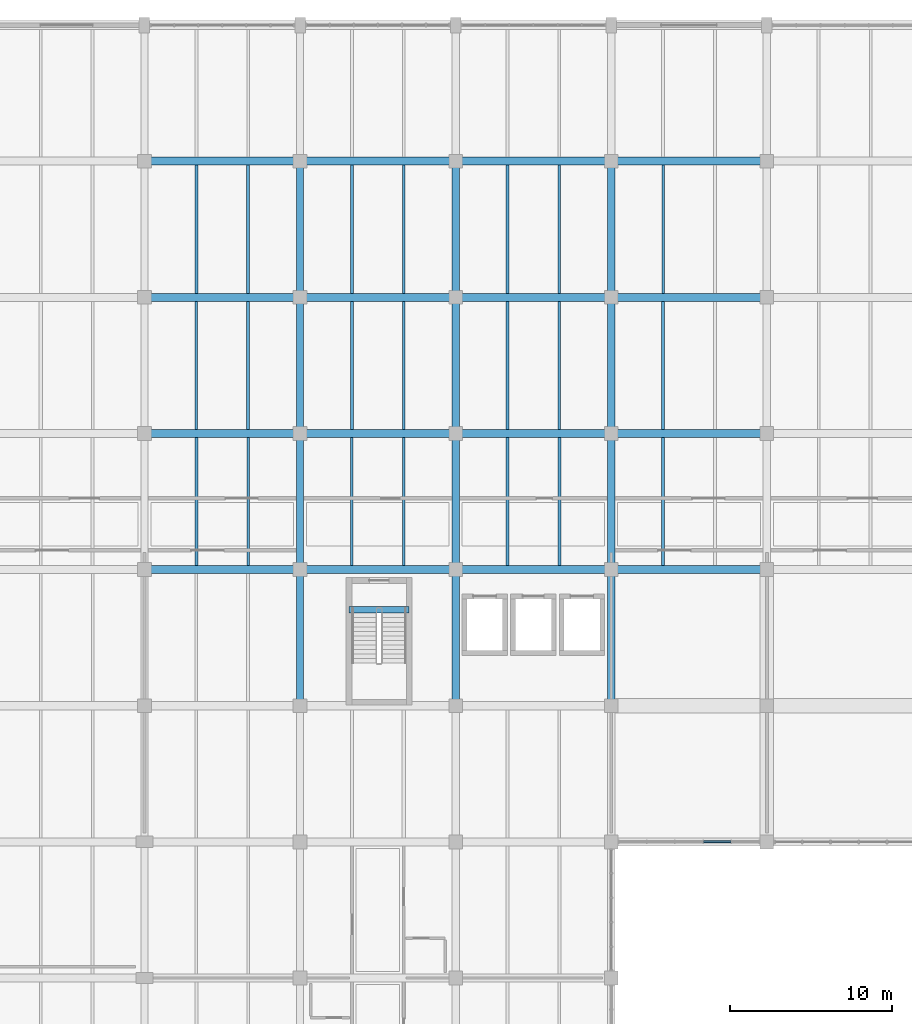
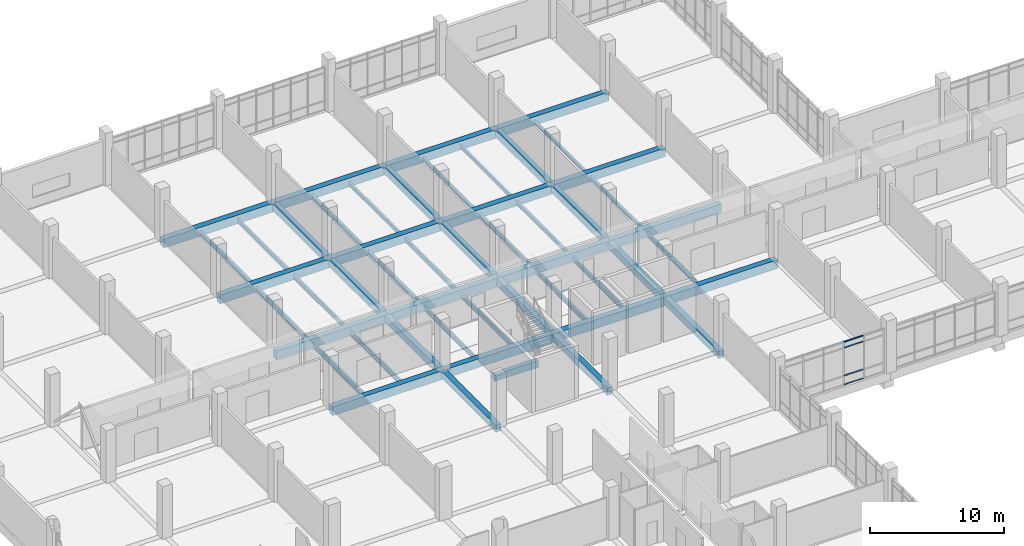
# One storey, part 32 of 152: 50 beams, 4 members, 1 element without a shape of its own.
"""IFC4 building model written with IfcOpenShell, lengths in metres."""

import ifcopenshell
import ifcopenshell.guid

model = None  # the IFC model being written
_history = None  # IfcOwnerHistory: only IFC2X3 demands one
_inside = {}  # id of a spatial element -> (the spatial element, [elements in it])
_under = {}  # id of a project, library or spatial element -> (it, [spatial elements below it])
_declared = {}  # id of a project -> (the project, [libraries it declares])
_typed = {}  # id of a type object -> (the type object, [elements of that type])
_made_of = {}  # id of a material, layer set ... -> (it, [elements and type objects made of it])


def new_model(schema):
    """Start an empty IFC model of exactly this schema.

    Asked for "IFC4X3", IfcOpenShell would pick the latest addendum, in which some entities
    have other attributes; the version numbers below select the first issue.
    IFC2X3 requires an IfcOwnerHistory on every rooted entity: one is made here for all.
    """
    global model, _history
    if schema == "IFC4X3":
        model = ifcopenshell.file(schema_version=(4, 3, 0, 0))
    else:
        model = ifcopenshell.file(schema=schema)
    _inside.clear()
    _under.clear()
    _declared.clear()
    _typed.clear()
    _made_of.clear()
    _history = None
    if model.schema == "IFC2X3":
        org = make("IfcOrganization", Name="unknown")
        user = make(
            "IfcPersonAndOrganization",
            ThePerson=make("IfcPerson", FamilyName="unknown"),
            TheOrganization=org,
        )
        app = make(
            "IfcApplication",
            ApplicationDeveloper=org,
            Version="unknown",
            ApplicationFullName="unknown",
            ApplicationIdentifier="unknown",
        )
        _history = make(
            "IfcOwnerHistory",
            OwningUser=user,
            OwningApplication=app,
            ChangeAction="ADDED",
            CreationDate=0,
        )
    return model


def make(cls, **values):
    """One entity of the class cls with the attributes given. An attribute that is None is left unset."""
    return model.create_entity(
        cls, **{name: value for name, value in values.items() if value is not None}
    )


def rooted(cls, **values):
    """An entity with a GlobalId (a new one), such as an element, a storey or a relation."""
    return make(cls, GlobalId=ifcopenshell.guid.new(), OwnerHistory=_history, **values)


def si_unit(unit_type, name, prefix=None):
    """IfcSIUnit, for example si_unit("LENGTHUNIT", "METRE", prefix="MILLI")."""
    return make("IfcSIUnit", UnitType=unit_type, Prefix=prefix, Name=name)


def assignment(units):
    """IfcUnitAssignment: the units of a project."""
    return None if units is None else make("IfcUnitAssignment", Units=units)


def point(xyz):
    """IfcCartesianPoint."""
    return None if xyz is None else make("IfcCartesianPoint", Coordinates=xyz)


def direction(xyz):
    """IfcDirection."""
    return None if xyz is None else make("IfcDirection", DirectionRatios=xyz)


def frame(location, z_axis=None, x_axis=None):
    """IfcAxis2Placement3D, a coordinate frame: its origin and axes. An axis left out is left unset."""
    return make(
        "IfcAxis2Placement3D",
        Location=point(location),
        Axis=direction(z_axis),
        RefDirection=direction(x_axis),
    )


def frame_2d(location, x_axis=None):
    """IfcAxis2Placement2D, a coordinate frame in the plane: its origin and x axis."""
    return make(
        "IfcAxis2Placement2D", Location=point(location), RefDirection=direction(x_axis)
    )


def origin():
    """The frame at (0, 0, 0) with its axes left unset."""
    return frame((0.0, 0.0, 0.0))


def origin_2d():
    """The frame at (0, 0) in the plane with its x axis left unset."""
    return frame_2d((0.0, 0.0))


def place(relative_to, where):
    """IfcLocalPlacement: puts the frame where relative to a parent placement (None: the world)."""
    return make(
        "IfcLocalPlacement", PlacementRelTo=relative_to, RelativePlacement=where
    )


def context(
    kind, dimensions, precision=None, world=None, true_north=None, identifier=None
):
    """IfcGeometricRepresentationContext, for example the 3D "Model" context."""
    return make(
        "IfcGeometricRepresentationContext",
        ContextIdentifier=identifier,
        ContextType=kind,
        CoordinateSpaceDimension=dimensions,
        Precision=precision,
        WorldCoordinateSystem=world,
        TrueNorth=true_north,
    )


def subcontext(parent, identifier, kind, view, scale=None):
    """IfcGeometricRepresentationSubContext, for example "Body" below "Model"."""
    return make(
        "IfcGeometricRepresentationSubContext",
        ContextIdentifier=identifier,
        ContextType=kind,
        ParentContext=parent,
        TargetScale=scale,
        TargetView=view,
    )


def project(units=None, contexts=None):
    """IfcProject with its units and contexts."""
    return rooted(
        "IfcProject",
        Name="project",
        RepresentationContexts=contexts,
        UnitsInContext=assignment(units),
    )


def spatial(cls, under=None, at=None, **own):
    """A site, building, storey or space (cls), placed at a placement, below another one or the project."""
    s = rooted(cls, ObjectPlacement=at, **own)
    if under is not None:
        _under.setdefault(under.id(), (under, []))[1].append(s)
    return s


def profile(cls, at=None, kind="AREA", **sizes):
    """A parametric profile (cls). Its sizes go by their IFC names, for example OverallWidth=200.0."""
    return make(cls, ProfileType=kind, Position=at, **sizes)


def rectangle(**sizes):
    """IfcRectangleProfileDef."""
    return profile("IfcRectangleProfileDef", **sizes)


def i_section(**sizes):
    """IfcIShapeProfileDef."""
    return profile("IfcIShapeProfileDef", **sizes)


def extrude(swept, where, along, depth):
    """IfcExtrudedAreaSolid: the profile swept, set in the frame where, extruded along a direction by depth."""
    return make(
        "IfcExtrudedAreaSolid",
        SweptArea=swept,
        Position=where,
        ExtrudedDirection=direction(along),
        Depth=depth,
    )


def shape(context_of_items, identifier, shape_type, items):
    """IfcShapeRepresentation: the items that make up one representation, for example the "Body"."""
    return make(
        "IfcShapeRepresentation",
        ContextOfItems=context_of_items,
        RepresentationIdentifier=identifier,
        RepresentationType=shape_type,
        Items=items,
    )


def material(Name=None, Category=None):
    """IfcMaterial."""
    return make("IfcMaterial", Name=Name, Category=Category)


def material_profile(
    of_material, cross_section, Name=None, Category=None, Priority=None
):
    """IfcMaterialProfile: a cross section and its material."""
    return make(
        "IfcMaterialProfile",
        Name=Name,
        Material=of_material,
        Profile=cross_section,
        Priority=Priority,
        Category=Category,
    )


def profile_set(profiles, Name=None, composite=None):
    """IfcMaterialProfileSet."""
    return make(
        "IfcMaterialProfileSet",
        Name=Name,
        MaterialProfiles=profiles,
        CompositeProfile=composite,
    )


def made_of(thing, what):
    """Note that an element or type object is made of a material, layer set ...; save() writes the relation."""
    if what is not None:
        _made_of.setdefault(what.id(), (what, []))[1].append(thing)
    return thing


def type_object(cls, material=None, **own):
    """A type object (cls), such as IfcWallType, which elements share."""
    return made_of(rooted(cls, **own), material)


def element(
    cls,
    number,
    at=None,
    inside=None,
    cuts=None,
    type_object=None,
    material=None,
    context=None,
    identifier="Body",
    shape_type=None,
    held_by="IfcProductDefinitionShape",
    body=None,
    shapes=None,
    **own,
):
    """One element of the class cls, such as IfcWall. Its Tag is "e" and its number.

    at: its placement. inside: the storey or other place that contains it. cuts: it is an
    opening in that element (IfcRelVoidsElement). A single representation is given by context,
    identifier, shape_type and body (its items); several are given by shapes. held_by: the class
    of the entity that holds the representations. save() writes the other relations.
    """
    e = rooted(cls, Tag="e%d" % number, ObjectPlacement=at, **own)
    if body is not None:
        shapes = [shape(context, identifier, shape_type, body)]
    if shapes is not None:
        e.Representation = make(held_by, Representations=shapes)
    if inside is not None:
        _inside.setdefault(inside.id(), (inside, []))[1].append(e)
    if cuts is not None:
        rooted(
            "IfcRelVoidsElement", RelatingBuildingElement=cuts, RelatedOpeningElement=e
        )
    if type_object is not None:
        _typed.setdefault(type_object.id(), (type_object, []))[1].append(e)
    return made_of(e, material)


def aggregate(whole, parts):
    """IfcRelAggregates: a whole, such as a stair, and the parts it consists of."""
    return rooted("IfcRelAggregates", RelatingObject=whole, RelatedObjects=parts)


def save(model, path):
    """Write the relations noted so far, then the file.

    IfcRelAggregates (storeys below a building ...), IfcRelContainedInSpatialStructure (elements
    in a storey), IfcRelDefinesByType, IfcRelAssociatesMaterial and IfcRelDeclares: one each for
    every whole, place, type object, material and project.
    """
    for whole, parts in _under.values():
        aggregate(whole, parts)
    for where, things in _inside.values():
        rooted(
            "IfcRelContainedInSpatialStructure",
            RelatedElements=things,
            RelatingStructure=where,
        )
    for kind, things in _typed.values():
        rooted("IfcRelDefinesByType", RelatedObjects=things, RelatingType=kind)
    for what, things in _made_of.values():
        rooted("IfcRelAssociatesMaterial", RelatedObjects=things, RelatingMaterial=what)
    for by, libraries in _declared.values():
        rooted("IfcRelDeclares", RelatingContext=by, RelatedDefinitions=libraries)
    model.write(path)


model = new_model("IFC4")

# Units and contexts
model_context = context("Model", 3, precision=1e-05, world=origin(), true_north=direction((0.0, 1.0)))
body_context = subcontext(model_context, "Body", "Model", "MODEL_VIEW")
ifc_project = project(units=[si_unit("LENGTHUNIT", "METRE"), si_unit("AREAUNIT", "SQUARE_METRE"), si_unit("VOLUMEUNIT", "CUBIC_METRE"), si_unit("PLANEANGLEUNIT", "RADIAN"), si_unit("MASSUNIT", "GRAM", prefix="KILO")], contexts=[model_context])

# Site, building, storey
site_placement = place(None, origin())
site = spatial("IfcSite", under=ifc_project, at=site_placement, CompositionType="ELEMENT")
building_placement = place(site_placement, origin())
building = spatial("IfcBuilding", under=site, at=building_placement, Name="Oolite Switchyard Hospital", CompositionType="ELEMENT")
storey_placement = place(building_placement, frame((0.0, 0.0, 5.10009765625)))
storey = spatial("IfcBuildingStorey", under=building, at=storey_placement, Name="L01", CompositionType="ELEMENT", Elevation=5.10009765625)

# Beams
ifc_material_1 = material(Name="Concrete C40/50", Category="concrete")
ifc_material_profile_1 = material_profile(ifc_material_1, rectangle(XDim=0.39990234375, YDim=0.60009765625, at=origin_2d()), Name="RCB400X600")
ifc_profile_set_1 = profile_set([ifc_material_profile_1], Name="Concrete C40/50")
beam_type_1 = type_object("IfcBeamType", Name="BM-RC400X600", PredefinedType="BEAM", material=ifc_profile_set_1)
beam_1_placement = place(storey_placement, frame((41.425048828125, 98.31005859375, -0.300048828125), z_axis=(1.0, 0.0, 0.0), x_axis=(0.0, 1.0, 0.0)))
element("IfcBeam", 1, at=beam_1_placement, inside=storey, type_object=beam_type_1, Name="L01 ST-07 Stair Throat Trimmer Beam", PredefinedType="BEAM", context=body_context, shape_type="SweptSolid", body=[
    extrude(rectangle(XDim=0.39990234375, YDim=0.60009765625, at=origin_2d()), origin(), (0.0, 0.0, 1.0), 3.7099609375),
])
ifc_material_profile_2 = material_profile(ifc_material_1, rectangle(XDim=0.449951171875, YDim=0.64990234375, at=origin_2d()), Name="RCB450X650")
ifc_profile_set_2 = profile_set([ifc_material_profile_2], Name="Concrete C40/50")
beam_type_2 = type_object("IfcBeamType", Name="BM-RC450X650", PredefinedType="BEAM", material=ifc_profile_set_2)
beam_2_placement = place(storey_placement, frame((38.39990234375, 92.39990234375, -0.3251953125), z_axis=(0.0, 1.0, 0.0), x_axis=(-1.0, 0.0, 0.0)))
element("IfcBeam", 2, at=beam_2_placement, inside=storey, type_object=beam_type_2, Name="L01 Y-Girder 361", PredefinedType="BEAM", context=body_context, shape_type="SweptSolid", body=[
    extrude(rectangle(XDim=0.449951171875, YDim=0.64990234375, at=origin_2d()), origin(), (0.0, 0.0, 1.0), 8.400146484375),
])
beam_3_placement = place(storey_placement, frame((38.39990234375, 100.800048828125, -0.3251953125), z_axis=(0.0, 1.0, 0.0), x_axis=(-1.0, 0.0, 0.0)))
element("IfcBeam", 3, at=beam_3_placement, inside=storey, type_object=beam_type_2, Name="L01 Y-Girder 362", PredefinedType="BEAM", context=body_context, shape_type="SweptSolid", body=[
    extrude(rectangle(XDim=0.449951171875, YDim=0.64990234375, at=origin_2d()), origin(), (0.0, 0.0, 1.0), 8.39990234375),
])
beam_4_placement = place(storey_placement, frame((38.39990234375, 109.199951171875, -0.3251953125), z_axis=(0.0, 1.0, 0.0), x_axis=(-1.0, 0.0, 0.0)))
element("IfcBeam", 4, at=beam_4_placement, inside=storey, type_object=beam_type_2, Name="L01 Y-Girder 363", PredefinedType="BEAM", context=body_context, shape_type="SweptSolid", body=[
    extrude(rectangle(XDim=0.449951171875, YDim=0.64990234375, at=origin_2d()), origin(), (0.0, 0.0, 1.0), 8.400146484375),
])
beam_5_placement = place(storey_placement, frame((38.39990234375, 117.60009765625, -0.3251953125), z_axis=(0.0, 1.0, 0.0), x_axis=(-1.0, 0.0, 0.0)))
element("IfcBeam", 5, at=beam_5_placement, inside=storey, type_object=beam_type_2, Name="L01 Y-Girder 364", PredefinedType="BEAM", context=body_context, shape_type="SweptSolid", body=[
    extrude(rectangle(XDim=0.449951171875, YDim=0.64990234375, at=origin_2d()), origin(), (0.0, 0.0, 1.0), 8.39990234375),
])
beam_6_placement = place(storey_placement, frame((48.0, 92.39990234375, -0.3251953125), z_axis=(0.0, 1.0, 0.0), x_axis=(-1.0, 0.0, 0.0)))
element("IfcBeam", 6, at=beam_6_placement, inside=storey, type_object=beam_type_2, Name="L01 Y-Girder 377", PredefinedType="BEAM", context=body_context, shape_type="SweptSolid", body=[
    extrude(rectangle(XDim=0.449951171875, YDim=0.64990234375, at=origin_2d()), origin(), (0.0, 0.0, 1.0), 8.400146484375),
])
beam_7_placement = place(storey_placement, frame((48.0, 100.800048828125, -0.3251953125), z_axis=(0.0, 1.0, 0.0), x_axis=(-1.0, 0.0, 0.0)))
element("IfcBeam", 7, at=beam_7_placement, inside=storey, type_object=beam_type_2, Name="L01 Y-Girder 378", PredefinedType="BEAM", context=body_context, shape_type="SweptSolid", body=[
    extrude(rectangle(XDim=0.449951171875, YDim=0.64990234375, at=origin_2d()), origin(), (0.0, 0.0, 1.0), 8.39990234375),
])
beam_8_placement = place(storey_placement, frame((48.0, 109.199951171875, -0.3251953125), z_axis=(0.0, 1.0, 0.0), x_axis=(-1.0, 0.0, 0.0)))
element("IfcBeam", 8, at=beam_8_placement, inside=storey, type_object=beam_type_2, Name="L01 Y-Girder 379", PredefinedType="BEAM", context=body_context, shape_type="SweptSolid", body=[
    extrude(rectangle(XDim=0.449951171875, YDim=0.64990234375, at=origin_2d()), origin(), (0.0, 0.0, 1.0), 8.400146484375),
])
beam_9_placement = place(storey_placement, frame((48.0, 117.60009765625, -0.3251953125), z_axis=(0.0, 1.0, 0.0), x_axis=(-1.0, 0.0, 0.0)))
element("IfcBeam", 9, at=beam_9_placement, inside=storey, type_object=beam_type_2, Name="L01 Y-Girder 380", PredefinedType="BEAM", context=body_context, shape_type="SweptSolid", body=[
    extrude(rectangle(XDim=0.449951171875, YDim=0.64990234375, at=origin_2d()), origin(), (0.0, 0.0, 1.0), 8.39990234375),
])
beam_10_placement = place(storey_placement, frame((57.60009765625, 92.39990234375, -0.3251953125), z_axis=(0.0, 1.0, 0.0), x_axis=(-1.0, 0.0, 0.0)))
element("IfcBeam", 10, at=beam_10_placement, inside=storey, type_object=beam_type_2, Name="L01 Y-Girder 392", PredefinedType="BEAM", context=body_context, shape_type="SweptSolid", body=[
    extrude(rectangle(XDim=0.449951171875, YDim=0.64990234375, at=origin_2d()), origin(), (0.0, 0.0, 1.0), 8.400146484375),
])
beam_11_placement = place(storey_placement, frame((57.60009765625, 100.800048828125, -0.3251953125), z_axis=(0.0, 1.0, 0.0), x_axis=(-1.0, 0.0, 0.0)))
element("IfcBeam", 11, at=beam_11_placement, inside=storey, type_object=beam_type_2, Name="L01 Y-Girder 393", PredefinedType="BEAM", context=body_context, shape_type="SweptSolid", body=[
    extrude(rectangle(XDim=0.449951171875, YDim=0.64990234375, at=origin_2d()), origin(), (0.0, 0.0, 1.0), 8.39990234375),
])
beam_12_placement = place(storey_placement, frame((57.60009765625, 109.199951171875, -0.3251953125), z_axis=(0.0, 1.0, 0.0), x_axis=(-1.0, 0.0, 0.0)))
element("IfcBeam", 12, at=beam_12_placement, inside=storey, type_object=beam_type_2, Name="L01 Y-Girder 394", PredefinedType="BEAM", context=body_context, shape_type="SweptSolid", body=[
    extrude(rectangle(XDim=0.449951171875, YDim=0.64990234375, at=origin_2d()), origin(), (0.0, 0.0, 1.0), 8.400146484375),
])
beam_13_placement = place(storey_placement, frame((57.60009765625, 117.60009765625, -0.3251953125), z_axis=(0.0, 1.0, 0.0), x_axis=(-1.0, 0.0, 0.0)))
element("IfcBeam", 13, at=beam_13_placement, inside=storey, type_object=beam_type_2, Name="L01 Y-Girder 395", PredefinedType="BEAM", context=body_context, shape_type="SweptSolid", body=[
    extrude(rectangle(XDim=0.449951171875, YDim=0.64990234375, at=origin_2d()), origin(), (0.0, 0.0, 1.0), 8.39990234375),
])
ifc_material_profile_3 = material_profile(ifc_material_1, rectangle(XDim=0.5, YDim=0.800048828125, at=origin_2d()), Name="RCB500X800")
ifc_profile_set_3 = profile_set([ifc_material_profile_3], Name="Concrete C40/50")
beam_type_3 = type_object("IfcBeamType", Name="BM-RC500X800", PredefinedType="BEAM", material=ifc_profile_set_3)
beam_14_placement = place(storey_placement, frame((28.800048828125, 100.800048828125, -0.400146484375), z_axis=(1.0, 0.0, 0.0), x_axis=(0.0, 1.0, 0.0)))
element("IfcBeam", 14, at=beam_14_placement, inside=storey, type_object=beam_type_3, Name="L01 X-Girder 200", PredefinedType="BEAM", context=body_context, shape_type="SweptSolid", body=[
    extrude(rectangle(XDim=0.5, YDim=0.800048828125, at=origin_2d()), origin(), (0.0, 0.0, 1.0), 9.599853515625),
])
for number, where, z_axis, x_axis, name in (
    (15, (38.39990234375, 100.800048828125, -0.400146484375), (1.0, 0.0, 0.0), (0.0, 1.0, 0.0), "L01 X-Girder 201"),
    (16, (48.0, 100.800048828125, -0.400146484375), (1.0, 0.0, 0.0), (0.0, 1.0, 0.0), "L01 X-Girder 202"),
):
    element("IfcBeam", number, at=place(storey_placement, frame(where, z_axis=z_axis, x_axis=x_axis)), inside=storey, type_object=beam_type_3, Name=name, PredefinedType="BEAM", context=body_context, shape_type="SweptSolid", body=[
        extrude(rectangle(XDim=0.5, YDim=0.800048828125, at=origin_2d()), origin(), (0.0, 0.0, 1.0), 9.60009765625),
    ])
for number, where, z_axis, x_axis, name in (
    (17, (57.60009765625, 100.800048828125, -0.400146484375), (1.0, 0.0, 0.0), (0.0, 1.0, 0.0), "L01 X-Girder 203"),
    (18, (28.800048828125, 109.199951171875, -0.400146484375), (1.0, 0.0, 0.0), (0.0, 1.0, 0.0), "L01 X-Girder 222"),
):
    element("IfcBeam", number, at=place(storey_placement, frame(where, z_axis=z_axis, x_axis=x_axis)), inside=storey, type_object=beam_type_3, Name=name, PredefinedType="BEAM", context=body_context, shape_type="SweptSolid", body=[
        extrude(rectangle(XDim=0.5, YDim=0.800048828125, at=origin_2d()), origin(), (0.0, 0.0, 1.0), 9.599853515625),
    ])
for number, where, z_axis, x_axis, name in (
    (19, (38.39990234375, 109.199951171875, -0.400146484375), (1.0, 0.0, 0.0), (0.0, 1.0, 0.0), "L01 X-Girder 223"),
    (20, (48.0, 109.199951171875, -0.400146484375), (1.0, 0.0, 0.0), (0.0, 1.0, 0.0), "L01 X-Girder 224"),
):
    element("IfcBeam", number, at=place(storey_placement, frame(where, z_axis=z_axis, x_axis=x_axis)), inside=storey, type_object=beam_type_3, Name=name, PredefinedType="BEAM", context=body_context, shape_type="SweptSolid", body=[
        extrude(rectangle(XDim=0.5, YDim=0.800048828125, at=origin_2d()), origin(), (0.0, 0.0, 1.0), 9.60009765625),
    ])
for number, where, z_axis, x_axis, name in (
    (21, (57.60009765625, 109.199951171875, -0.400146484375), (1.0, 0.0, 0.0), (0.0, 1.0, 0.0), "L01 X-Girder 225"),
    (22, (28.800048828125, 117.60009765625, -0.400146484375), (1.0, 0.0, 0.0), (0.0, 1.0, 0.0), "L01 X-Girder 242"),
):
    element("IfcBeam", number, at=place(storey_placement, frame(where, z_axis=z_axis, x_axis=x_axis)), inside=storey, type_object=beam_type_3, Name=name, PredefinedType="BEAM", context=body_context, shape_type="SweptSolid", body=[
        extrude(rectangle(XDim=0.5, YDim=0.800048828125, at=origin_2d()), origin(), (0.0, 0.0, 1.0), 9.599853515625),
    ])
for number, where, z_axis, x_axis, name in (
    (23, (38.39990234375, 117.60009765625, -0.400146484375), (1.0, 0.0, 0.0), (0.0, 1.0, 0.0), "L01 X-Girder 243"),
    (24, (48.0, 117.60009765625, -0.400146484375), (1.0, 0.0, 0.0), (0.0, 1.0, 0.0), "L01 X-Girder 244"),
):
    element("IfcBeam", number, at=place(storey_placement, frame(where, z_axis=z_axis, x_axis=x_axis)), inside=storey, type_object=beam_type_3, Name=name, PredefinedType="BEAM", context=body_context, shape_type="SweptSolid", body=[
        extrude(rectangle(XDim=0.5, YDim=0.800048828125, at=origin_2d()), origin(), (0.0, 0.0, 1.0), 9.60009765625),
    ])
for number, where, z_axis, x_axis, name in (
    (25, (57.60009765625, 117.60009765625, -0.400146484375), (1.0, 0.0, 0.0), (0.0, 1.0, 0.0), "L01 X-Girder 245"),
    (26, (28.800048828125, 126.0, -0.400146484375), (1.0, 0.0, 0.0), (0.0, 1.0, 0.0), "L01 X-Girder 258"),
):
    element("IfcBeam", number, at=place(storey_placement, frame(where, z_axis=z_axis, x_axis=x_axis)), inside=storey, type_object=beam_type_3, Name=name, PredefinedType="BEAM", context=body_context, shape_type="SweptSolid", body=[
        extrude(rectangle(XDim=0.5, YDim=0.800048828125, at=origin_2d()), origin(), (0.0, 0.0, 1.0), 9.599853515625),
    ])
for number, where, z_axis, x_axis, name in (
    (27, (38.39990234375, 126.0, -0.400146484375), (1.0, 0.0, 0.0), (0.0, 1.0, 0.0), "L01 X-Girder 259"),
    (28, (48.0, 126.0, -0.400146484375), (1.0, 0.0, 0.0), (0.0, 1.0, 0.0), "L01 X-Girder 260"),
):
    element("IfcBeam", number, at=place(storey_placement, frame(where, z_axis=z_axis, x_axis=x_axis)), inside=storey, type_object=beam_type_3, Name=name, PredefinedType="BEAM", context=body_context, shape_type="SweptSolid", body=[
        extrude(rectangle(XDim=0.5, YDim=0.800048828125, at=origin_2d()), origin(), (0.0, 0.0, 1.0), 9.60009765625),
    ])
beam_15_placement = place(storey_placement, frame((57.60009765625, 126.0, -0.400146484375), z_axis=(1.0, 0.0, 0.0), x_axis=(0.0, 1.0, 0.0)))
element("IfcBeam", 29, at=beam_15_placement, inside=storey, type_object=beam_type_3, Name="L01 X-Girder 261", PredefinedType="BEAM", context=body_context, shape_type="SweptSolid", body=[
    extrude(rectangle(XDim=0.5, YDim=0.800048828125, at=origin_2d()), origin(), (0.0, 0.0, 1.0), 9.599853515625),
])
ifc_material_2 = material(Name="Steel ASTM A992 Grade 50", Category="steel")
ifc_material_profile_4 = material_profile(ifc_material_2, i_section(OverallWidth=0.1650390625, OverallDepth=0.31005859375, WebThickness=0.006103515625, FlangeThickness=0.010009765625, at=origin_2d()), Name="W12X26")
ifc_profile_set_4 = profile_set([ifc_material_profile_4], Name="Steel ASTM A992 Grade 50")
beam_type_4 = type_object("IfcBeamType", Name="BM-W12X26", PredefinedType="JOIST", material=ifc_profile_set_4)
for number, where, z_axis, x_axis, name in (
    (30, (54.39990234375, 117.85009765625, -0.455078125), (0.0, 1.0, 0.0), (-1.0, 0.0, 0.0), "L01 Secondary Steel Joist 735"),
    (31, (60.800048828125, 117.85009765625, -0.455078125), (0.0, 1.0, 0.0), (-1.0, 0.0, 0.0), "L01 Secondary Steel Joist 750"),
):
    element("IfcBeam", number, at=place(storey_placement, frame(where, z_axis=z_axis, x_axis=x_axis)), inside=storey, type_object=beam_type_4, Name=name, PredefinedType="JOIST", context=body_context, shape_type="SweptSolid", body=[
        extrude(i_section(OverallWidth=0.1650390625, OverallDepth=0.31005859375, WebThickness=0.006103515625, FlangeThickness=0.010009765625, at=origin_2d()), origin(), (0.0, 0.0, 1.0), 7.89990234375),
    ])
ifc_material_profile_5 = material_profile(ifc_material_2, i_section(OverallWidth=0.1708984375, OverallDepth=0.35107421875, WebThickness=0.007080078125, FlangeThickness=0.010009765625, at=origin_2d()), Name="W14X30")
ifc_profile_set_5 = profile_set([ifc_material_profile_5], Name="Steel ASTM A992 Grade 50")
beam_type_5 = type_object("IfcBeamType", Name="BM-W14X30", PredefinedType="JOIST", material=ifc_profile_set_5)
beam_16_placement = place(storey_placement, frame((44.800048828125, 117.85009765625, -0.47607421875), z_axis=(0.0, 1.0, 0.0), x_axis=(-1.0, 0.0, 0.0)))
element("IfcBeam", 32, at=beam_16_placement, inside=storey, type_object=beam_type_5, Name="L01 Secondary Steel Joist 707", PredefinedType="JOIST", context=body_context, shape_type="SweptSolid", body=[
    extrude(i_section(OverallWidth=0.1708984375, OverallDepth=0.35107421875, WebThickness=0.007080078125, FlangeThickness=0.010009765625, at=origin_2d()), origin(), (0.0, 0.0, 1.0), 7.89990234375),
])
beam_17_placement = place(storey_placement, frame((54.39990234375, 109.449951171875, -0.47607421875), z_axis=(0.0, 1.0, 0.0), x_axis=(-1.0, 0.0, 0.0)))
element("IfcBeam", 33, at=beam_17_placement, inside=storey, type_object=beam_type_5, Name="L01 Secondary Steel Joist 733", PredefinedType="JOIST", context=body_context, shape_type="SweptSolid", body=[
    extrude(i_section(OverallWidth=0.1708984375, OverallDepth=0.35107421875, WebThickness=0.007080078125, FlangeThickness=0.010009765625, at=origin_2d()), origin(), (0.0, 0.0, 1.0), 7.900146484375),
])
beam_18_placement = place(storey_placement, frame((51.199951171875, 117.85009765625, -0.47607421875), z_axis=(0.0, 1.0, 0.0), x_axis=(-1.0, 0.0, 0.0)))
element("IfcBeam", 34, at=beam_18_placement, inside=storey, type_object=beam_type_5, Name="L01 Secondary Steel Joist 734", PredefinedType="JOIST", context=body_context, shape_type="SweptSolid", body=[
    extrude(i_section(OverallWidth=0.1708984375, OverallDepth=0.35107421875, WebThickness=0.007080078125, FlangeThickness=0.010009765625, at=origin_2d()), origin(), (0.0, 0.0, 1.0), 7.89990234375),
])
beam_19_placement = place(storey_placement, frame((60.800048828125, 109.449951171875, -0.47607421875), z_axis=(0.0, 1.0, 0.0), x_axis=(-1.0, 0.0, 0.0)))
element("IfcBeam", 35, at=beam_19_placement, inside=storey, type_object=beam_type_5, Name="L01 Secondary Steel Joist 748", PredefinedType="JOIST", context=body_context, shape_type="SweptSolid", body=[
    extrude(i_section(OverallWidth=0.1708984375, OverallDepth=0.35107421875, WebThickness=0.007080078125, FlangeThickness=0.010009765625, at=origin_2d()), origin(), (0.0, 0.0, 1.0), 7.900146484375),
])
ifc_material_profile_6 = material_profile(ifc_material_2, i_section(OverallWidth=0.177978515625, OverallDepth=0.403076171875, WebThickness=0.008056640625, FlangeThickness=0.010986328125, at=origin_2d()), Name="W16X36")
ifc_profile_set_6 = profile_set([ifc_material_profile_6], Name="Steel ASTM A992 Grade 50")
beam_type_6 = type_object("IfcBeamType", Name="BM-W16X36", PredefinedType="JOIST", material=ifc_profile_set_6)
beam_20_placement = place(storey_placement, frame((35.199951171875, 117.85009765625, -0.502197265625), z_axis=(0.0, 1.0, 0.0), x_axis=(-1.0, 0.0, 0.0)))
element("IfcBeam", 36, at=beam_20_placement, inside=storey, type_object=beam_type_6, Name="L01 Secondary Steel Joist 679", PredefinedType="JOIST", context=body_context, shape_type="SweptSolid", body=[
    extrude(i_section(OverallWidth=0.177978515625, OverallDepth=0.403076171875, WebThickness=0.008056640625, FlangeThickness=0.010986328125, at=origin_2d()), origin(), (0.0, 0.0, 1.0), 7.89990234375),
])
beam_21_placement = place(storey_placement, frame((44.800048828125, 109.449951171875, -0.502197265625), z_axis=(0.0, 1.0, 0.0), x_axis=(-1.0, 0.0, 0.0)))
element("IfcBeam", 37, at=beam_21_placement, inside=storey, type_object=beam_type_6, Name="L01 Secondary Steel Joist 705", PredefinedType="JOIST", context=body_context, shape_type="SweptSolid", body=[
    extrude(i_section(OverallWidth=0.177978515625, OverallDepth=0.403076171875, WebThickness=0.008056640625, FlangeThickness=0.010986328125, at=origin_2d()), origin(), (0.0, 0.0, 1.0), 7.900146484375),
])
for number, where, z_axis, x_axis, name in (
    (38, (41.60009765625, 117.85009765625, -0.502197265625), (0.0, 1.0, 0.0), (-1.0, 0.0, 0.0), "L01 Secondary Steel Joist 706"),
    (39, (54.39990234375, 101.050048828125, -0.502197265625), (0.0, 1.0, 0.0), (-1.0, 0.0, 0.0), "L01 Secondary Steel Joist 731"),
):
    element("IfcBeam", number, at=place(storey_placement, frame(where, z_axis=z_axis, x_axis=x_axis)), inside=storey, type_object=beam_type_6, Name=name, PredefinedType="JOIST", context=body_context, shape_type="SweptSolid", body=[
        extrude(i_section(OverallWidth=0.177978515625, OverallDepth=0.403076171875, WebThickness=0.008056640625, FlangeThickness=0.010986328125, at=origin_2d()), origin(), (0.0, 0.0, 1.0), 7.89990234375),
    ])
beam_22_placement = place(storey_placement, frame((51.199951171875, 109.449951171875, -0.502197265625), z_axis=(0.0, 1.0, 0.0), x_axis=(-1.0, 0.0, 0.0)))
element("IfcBeam", 40, at=beam_22_placement, inside=storey, type_object=beam_type_6, Name="L01 Secondary Steel Joist 732", PredefinedType="JOIST", context=body_context, shape_type="SweptSolid", body=[
    extrude(i_section(OverallWidth=0.177978515625, OverallDepth=0.403076171875, WebThickness=0.008056640625, FlangeThickness=0.010986328125, at=origin_2d()), origin(), (0.0, 0.0, 1.0), 7.900146484375),
])
beam_23_placement = place(storey_placement, frame((60.800048828125, 101.050048828125, -0.502197265625), z_axis=(0.0, 1.0, 0.0), x_axis=(-1.0, 0.0, 0.0)))
element("IfcBeam", 41, at=beam_23_placement, inside=storey, type_object=beam_type_6, Name="L01 Secondary Steel Joist 746", PredefinedType="JOIST", context=body_context, shape_type="SweptSolid", body=[
    extrude(i_section(OverallWidth=0.177978515625, OverallDepth=0.403076171875, WebThickness=0.008056640625, FlangeThickness=0.010986328125, at=origin_2d()), origin(), (0.0, 0.0, 1.0), 7.89990234375),
])
ifc_material_profile_7 = material_profile(ifc_material_2, i_section(OverallWidth=0.179931640625, OverallDepth=0.4130859375, WebThickness=0.010009765625, FlangeThickness=0.01611328125, at=origin_2d()), Name="W16X50")
ifc_profile_set_7 = profile_set([ifc_material_profile_7], Name="Steel ASTM A992 Grade 50")
beam_type_7 = type_object("IfcBeamType", Name="BM-W16X50", PredefinedType="JOIST", material=ifc_profile_set_7)
beam_24_placement = place(storey_placement, frame((35.199951171875, 109.449951171875, -0.506103515625), z_axis=(0.0, 1.0, 0.0), x_axis=(-1.0, 0.0, 0.0)))
element("IfcBeam", 42, at=beam_24_placement, inside=storey, type_object=beam_type_7, Name="L01 Secondary Steel Joist 677", PredefinedType="JOIST", context=body_context, shape_type="SweptSolid", body=[
    extrude(i_section(OverallWidth=0.179931640625, OverallDepth=0.4130859375, WebThickness=0.010009765625, FlangeThickness=0.01611328125, at=origin_2d()), origin(), (0.0, 0.0, 1.0), 7.900146484375),
])
for number, where, z_axis, x_axis, name in (
    (43, (32.0, 117.85009765625, -0.506103515625), (0.0, 1.0, 0.0), (-1.0, 0.0, 0.0), "L01 Secondary Steel Joist 678"),
    (44, (44.800048828125, 101.050048828125, -0.506103515625), (0.0, 1.0, 0.0), (-1.0, 0.0, 0.0), "L01 Secondary Steel Joist 703"),
):
    element("IfcBeam", number, at=place(storey_placement, frame(where, z_axis=z_axis, x_axis=x_axis)), inside=storey, type_object=beam_type_7, Name=name, PredefinedType="JOIST", context=body_context, shape_type="SweptSolid", body=[
        extrude(i_section(OverallWidth=0.179931640625, OverallDepth=0.4130859375, WebThickness=0.010009765625, FlangeThickness=0.01611328125, at=origin_2d()), origin(), (0.0, 0.0, 1.0), 7.89990234375),
    ])
beam_25_placement = place(storey_placement, frame((41.60009765625, 109.449951171875, -0.506103515625), z_axis=(0.0, 1.0, 0.0), x_axis=(-1.0, 0.0, 0.0)))
element("IfcBeam", 45, at=beam_25_placement, inside=storey, type_object=beam_type_7, Name="L01 Secondary Steel Joist 704", PredefinedType="JOIST", context=body_context, shape_type="SweptSolid", body=[
    extrude(i_section(OverallWidth=0.179931640625, OverallDepth=0.4130859375, WebThickness=0.010009765625, FlangeThickness=0.01611328125, at=origin_2d()), origin(), (0.0, 0.0, 1.0), 7.900146484375),
])
beam_26_placement = place(storey_placement, frame((51.199951171875, 101.050048828125, -0.506103515625), z_axis=(0.0, 1.0, 0.0), x_axis=(-1.0, 0.0, 0.0)))
element("IfcBeam", 46, at=beam_26_placement, inside=storey, type_object=beam_type_7, Name="L01 Secondary Steel Joist 730", PredefinedType="JOIST", context=body_context, shape_type="SweptSolid", body=[
    extrude(i_section(OverallWidth=0.179931640625, OverallDepth=0.4130859375, WebThickness=0.010009765625, FlangeThickness=0.01611328125, at=origin_2d()), origin(), (0.0, 0.0, 1.0), 7.89990234375),
])
ifc_material_profile_8 = material_profile(ifc_material_2, i_section(OverallWidth=0.153076171875, OverallDepth=0.455078125, WebThickness=0.008056640625, FlangeThickness=0.012939453125, at=origin_2d()), Name="W18X40")
ifc_profile_set_8 = profile_set([ifc_material_profile_8], Name="Steel ASTM A992 Grade 50")
beam_type_8 = type_object("IfcBeamType", Name="BM-W18X40", PredefinedType="JOIST", material=ifc_profile_set_8)
beam_27_placement = place(storey_placement, frame((35.199951171875, 101.050048828125, -0.528076171875), z_axis=(0.0, 1.0, 0.0), x_axis=(-1.0, 0.0, 0.0)))
element("IfcBeam", 47, at=beam_27_placement, inside=storey, type_object=beam_type_8, Name="L01 Secondary Steel Joist 675", PredefinedType="JOIST", context=body_context, shape_type="SweptSolid", body=[
    extrude(i_section(OverallWidth=0.153076171875, OverallDepth=0.455078125, WebThickness=0.008056640625, FlangeThickness=0.012939453125, at=origin_2d()), origin(), (0.0, 0.0, 1.0), 7.89990234375),
])
beam_28_placement = place(storey_placement, frame((32.0, 109.449951171875, -0.528076171875), z_axis=(0.0, 1.0, 0.0), x_axis=(-1.0, 0.0, 0.0)))
element("IfcBeam", 48, at=beam_28_placement, inside=storey, type_object=beam_type_8, Name="L01 Secondary Steel Joist 676", PredefinedType="JOIST", context=body_context, shape_type="SweptSolid", body=[
    extrude(i_section(OverallWidth=0.153076171875, OverallDepth=0.455078125, WebThickness=0.008056640625, FlangeThickness=0.012939453125, at=origin_2d()), origin(), (0.0, 0.0, 1.0), 7.900146484375),
])
beam_29_placement = place(storey_placement, frame((41.60009765625, 101.050048828125, -0.528076171875), z_axis=(0.0, 1.0, 0.0), x_axis=(-1.0, 0.0, 0.0)))
element("IfcBeam", 49, at=beam_29_placement, inside=storey, type_object=beam_type_8, Name="L01 Secondary Steel Joist 702", PredefinedType="JOIST", context=body_context, shape_type="SweptSolid", body=[
    extrude(i_section(OverallWidth=0.153076171875, OverallDepth=0.455078125, WebThickness=0.008056640625, FlangeThickness=0.012939453125, at=origin_2d()), origin(), (0.0, 0.0, 1.0), 7.89990234375),
])
ifc_material_profile_9 = material_profile(ifc_material_2, i_section(OverallWidth=0.19091796875, OverallDepth=0.4599609375, WebThickness=0.010009765625, FlangeThickness=0.01611328125, at=origin_2d()), Name="W18X55")
ifc_profile_set_9 = profile_set([ifc_material_profile_9], Name="Steel ASTM A992 Grade 50")
beam_type_9 = type_object("IfcBeamType", Name="BM-W18X55", PredefinedType="JOIST", material=ifc_profile_set_9)
beam_30_placement = place(storey_placement, frame((32.0, 101.050048828125, -0.530029296875), z_axis=(0.0, 1.0, 0.0), x_axis=(-1.0, 0.0, 0.0)))
element("IfcBeam", 50, at=beam_30_placement, inside=storey, type_object=beam_type_9, Name="L01 Secondary Steel Joist 674", PredefinedType="JOIST", context=body_context, shape_type="SweptSolid", body=[
    extrude(i_section(OverallWidth=0.19091796875, OverallDepth=0.4599609375, WebThickness=0.010009765625, FlangeThickness=0.01611328125, at=origin_2d()), origin(), (0.0, 0.0, 1.0), 7.89990234375),
])

# Curtain wall, members
ifc_material_3 = material(Name="Thermally broken aluminum frame with laminated impact glazing", Category="aluminium")
curtain_wall_type = type_object("IfcCurtainWallType", Name="CW-UNIT-96X48", PredefinedType="USERDEFINED", material=ifc_material_3)
curtain_wall_placement = place(storey_placement, origin())
curtain_wall = element("IfcCurtainWall", 51, at=curtain_wall_placement, inside=storey, type_object=curtain_wall_type, Name="L01 Unitised Curtain Wall 138", ObjectType="UNITISED", PredefinedType="USERDEFINED")
ifc_material_4 = material(Name="Aluminium 6063-T6", Category="aluminium")
ifc_material_profile_10 = material_profile(ifc_material_4, rectangle(XDim=0.1201171875, YDim=0.06005859375, at=origin_2d()), Name="CWT60X120")
ifc_profile_set_10 = profile_set([ifc_material_profile_10], Name="Aluminium 6063-T6")
member_type = type_object("IfcMemberType", Name="CW-TRN-150", PredefinedType="USERDEFINED", material=ifc_profile_set_10)
member_1_placement = place(storey_placement, frame((64.98095703125, 84.0, 0.02978515625), z_axis=(-1.0, 0.0, 0.0), x_axis=(0.0, -1.0, 0.0)))
member_1 = element("IfcMember", 52, at=member_1_placement, type_object=member_type, Name="CW-02 transom 2.1", ObjectType="TRANSOM", PredefinedType="USERDEFINED", context=body_context, shape_type="SweptSolid", body=[
    extrude(rectangle(XDim=0.1201171875, YDim=0.06005859375, at=origin_2d()), origin(), (0.0, 0.0, 1.0), 1.674072265625),
])
member_2_placement = place(storey_placement, frame((64.98095703125, 84.0, 0.849853515625), z_axis=(-1.0, 0.0, 0.0), x_axis=(0.0, -1.0, 0.0)))
member_2 = element("IfcMember", 53, at=member_2_placement, type_object=member_type, Name="CW-02 transom 2.2", ObjectType="TRANSOM", PredefinedType="USERDEFINED", context=body_context, shape_type="SweptSolid", body=[
    extrude(rectangle(XDim=0.1201171875, YDim=0.06005859375, at=origin_2d()), origin(), (0.0, 0.0, 1.0), 1.674072265625),
])
member_3_placement = place(storey_placement, frame((64.98095703125, 84.0, 3.389892578125), z_axis=(-1.0, 0.0, 0.0), x_axis=(0.0, -1.0, 0.0)))
member_3 = element("IfcMember", 54, at=member_3_placement, type_object=member_type, Name="CW-02 transom 2.3", ObjectType="TRANSOM", PredefinedType="USERDEFINED", context=body_context, shape_type="SweptSolid", body=[
    extrude(rectangle(XDim=0.1201171875, YDim=0.06005859375, at=origin_2d()), origin(), (0.0, 0.0, 1.0), 1.674072265625),
])
member_4_placement = place(storey_placement, frame((64.98095703125, 84.0, 3.909912109375), z_axis=(-1.0, 0.0, 0.0), x_axis=(0.0, -1.0, 0.0)))
member_4 = element("IfcMember", 55, at=member_4_placement, type_object=member_type, Name="CW-02 transom 2.4", ObjectType="TRANSOM", PredefinedType="USERDEFINED", context=body_context, shape_type="SweptSolid", body=[
    extrude(rectangle(XDim=0.1201171875, YDim=0.06005859375, at=origin_2d()), origin(), (0.0, 0.0, 1.0), 1.674072265625),
])
aggregate(curtain_wall, [member_1, member_2, member_3, member_4])

save(model, "model.ifc")
